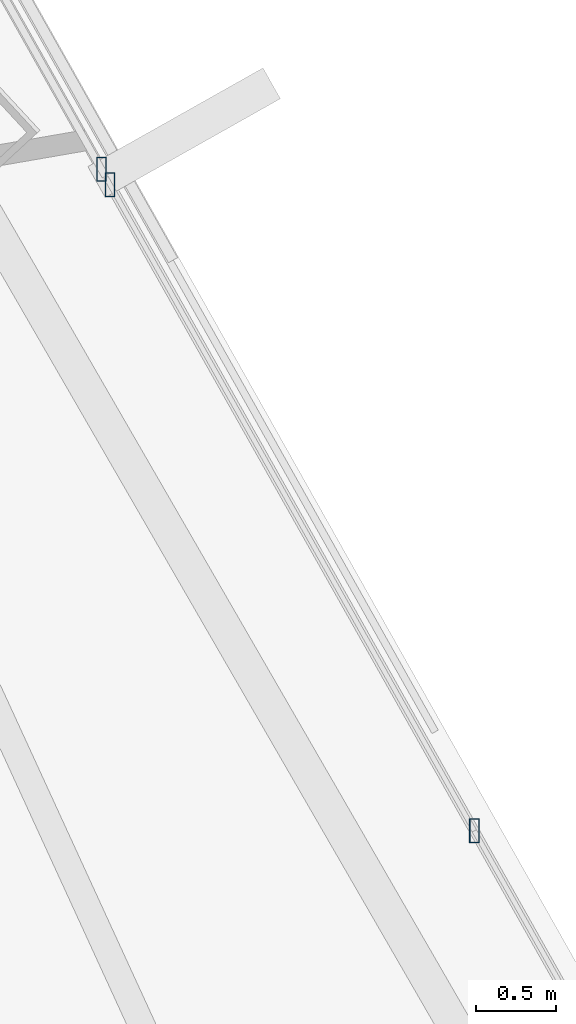
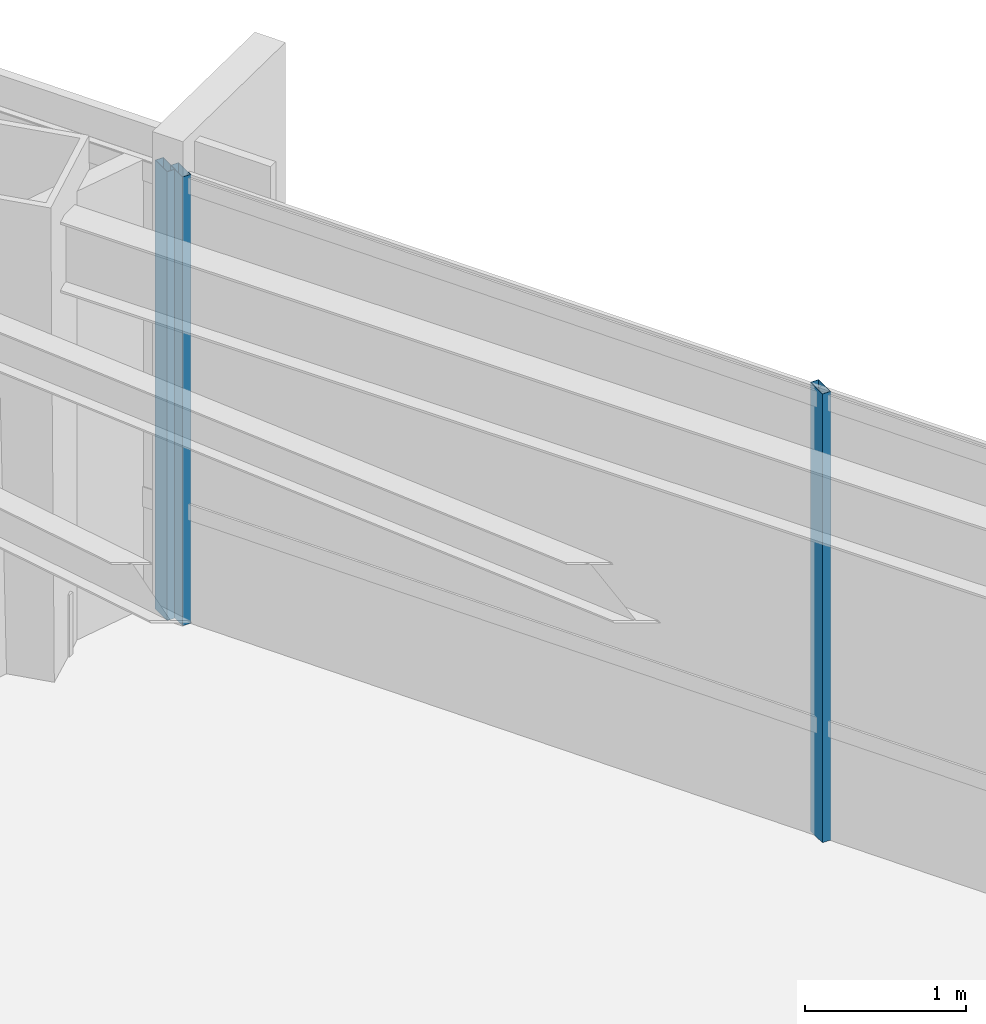
# One storey, part 24 of 42: 3 members, 2 elements without a shape of their own.
"""IFC4 building model written with IfcOpenShell, lengths in metres."""

from ifc_helpers import new_model, si_unit, direction, frame, origin, origin_2d, place, context, subcontext, project, spatial, hollow_rectangle, extrude, source, transform, mapped, material, material_profile, profile_set, type_object, type_shapes, element, aggregate, save


model = new_model("IFC4")

# Units and contexts
model_context = context("Model", 3, precision=1e-05, world=origin(), true_north=direction((0.0, 1.0)))
body_context = subcontext(model_context, "Body", "Model", "MODEL_VIEW")
ifc_project = project(units=[si_unit("LENGTHUNIT", "METRE"), si_unit("AREAUNIT", "SQUARE_METRE"), si_unit("VOLUMEUNIT", "CUBIC_METRE"), si_unit("PLANEANGLEUNIT", "RADIAN"), si_unit("MASSUNIT", "GRAM", prefix="KILO")], contexts=[model_context])

# Site, building, storey
site_placement = place(None, origin())
site = spatial("IfcSite", under=ifc_project, at=site_placement, CompositionType="ELEMENT")
building_placement = place(site_placement, origin())
building = spatial("IfcBuilding", under=site, at=building_placement, Name="Caelisora Broadcast Tower", CompositionType="ELEMENT")
storey_placement = place(building_placement, frame((0.0, 0.0, 191.35009765625)))
storey = spatial("IfcBuildingStorey", under=building, at=storey_placement, Name="L50", CompositionType="ELEMENT", Elevation=191.35009765625)

# Curtain wall, member
ifc_material_1 = material(Name="Unitised Aluminium Insulated Shadow-Box Spandrel Curtain Wall", Category="aluminium")
curtain_wall_type_1 = type_object("IfcCurtainWallType", Name="CW-SP2", PredefinedType="NOTDEFINED", material=ifc_material_1)
curtain_wall_1_placement = place(storey_placement, origin())
curtain_wall_1 = element("IfcCurtainWall", 1, at=curtain_wall_1_placement, inside=storey, type_object=curtain_wall_type_1, Name="L50 curtain wall CW-SP2", PredefinedType="NOTDEFINED")
ifc_material_2 = material(Name="Aluminium 6063-T6 Anodised Terracotta Bronze", Category="aluminium")
ifc_material_profile = material_profile(ifc_material_2, hollow_rectangle(XDim=0.06005859375, YDim=0.14990234375, WallThickness=0.00341796875, at=origin_2d()), Name="Aluminium 6063-T6 Anodised Terracotta Bronze")
ifc_profile_set = profile_set([ifc_material_profile], Name="Aluminium 6063-T6 Anodised Terracotta Bronze")
member_type = type_object("IfcMemberType", Name="CWM-03", PredefinedType="MULLION", material=ifc_profile_set)
shared_shape = source(origin(), body_context, "Body", "SweptSolid", [
    extrude(hollow_rectangle(XDim=0.06005859375, YDim=0.14990234375, WallThickness=0.00341796875, at=origin_2d()), origin(), (0.0, 0.0, 1.0), 3.39990234375),
])
type_shapes(member_type, [shared_shape])
member_1_placement = place(storey_placement, frame((55.572265625, 26.853759765625, 0.0), z_axis=(0.0, 0.0, 1.0), x_axis=(1.0, 0.0, 0.0)))
member_1 = element("IfcMember", 2, at=member_1_placement, type_object=member_type, Name="L50-CW-B02 mullion #3", PredefinedType="MULLION", context=body_context, shape_type="MappedRepresentation", body=[
    mapped(shared_shape, transform((0.0, 0.0, 0.0), scale=1.0)),
])
aggregate(curtain_wall_1, [member_1])

# Curtain wall, members
ifc_material_3 = material(Name="Unitised Aluminium and Low-E Glass Curtain Wall", Category="glass")
curtain_wall_type_2 = type_object("IfcCurtainWallType", Name="CW-Z4", PredefinedType="NOTDEFINED", material=ifc_material_3)
curtain_wall_2_placement = place(storey_placement, origin())
curtain_wall_2 = element("IfcCurtainWall", 3, at=curtain_wall_2_placement, inside=storey, type_object=curtain_wall_type_2, Name="L50 curtain wall CW-Z4", PredefinedType="NOTDEFINED")
member_2_placement = place(storey_placement, frame((55.626220703125, 26.7578125, 0.0), z_axis=(0.0, 0.0, 1.0), x_axis=(1.0, 0.0, 0.0)))
member_2 = element("IfcMember", 4, at=member_2_placement, type_object=member_type, Name="L50-CW-B03 mullion #0", PredefinedType="MULLION", context=body_context, shape_type="MappedRepresentation", body=[
    mapped(shared_shape, transform((0.0, 0.0, 0.0), scale=1.0)),
])
member_3_placement = place(storey_placement, frame((57.8916015625, 22.7392578125, 0.0), z_axis=(0.0, 0.0, 1.0), x_axis=(1.0, 0.0, 0.0)))
member_3 = element("IfcMember", 5, at=member_3_placement, type_object=member_type, Name="L50-CW-B03 mullion #1", PredefinedType="MULLION", context=body_context, shape_type="MappedRepresentation", body=[
    mapped(shared_shape, transform((0.0, 0.0, 0.0), scale=1.0)),
])
aggregate(curtain_wall_2, [member_2, member_3])

save(model, "model.ifc")
